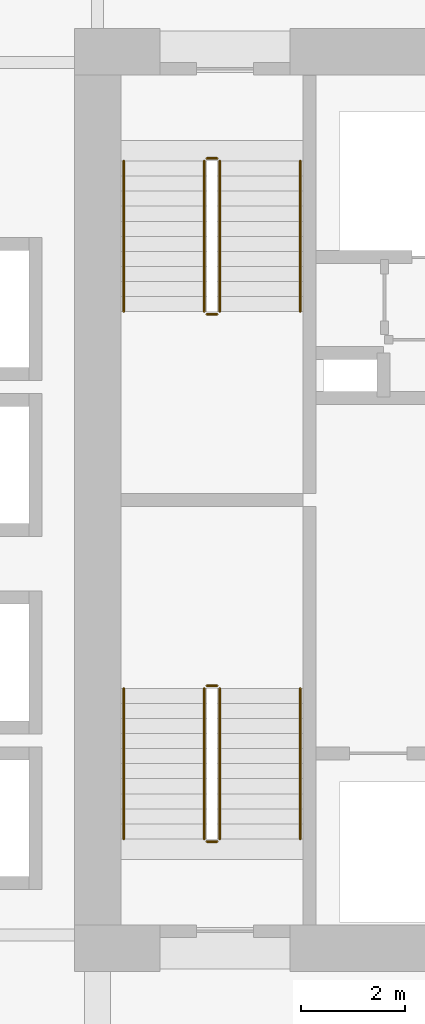
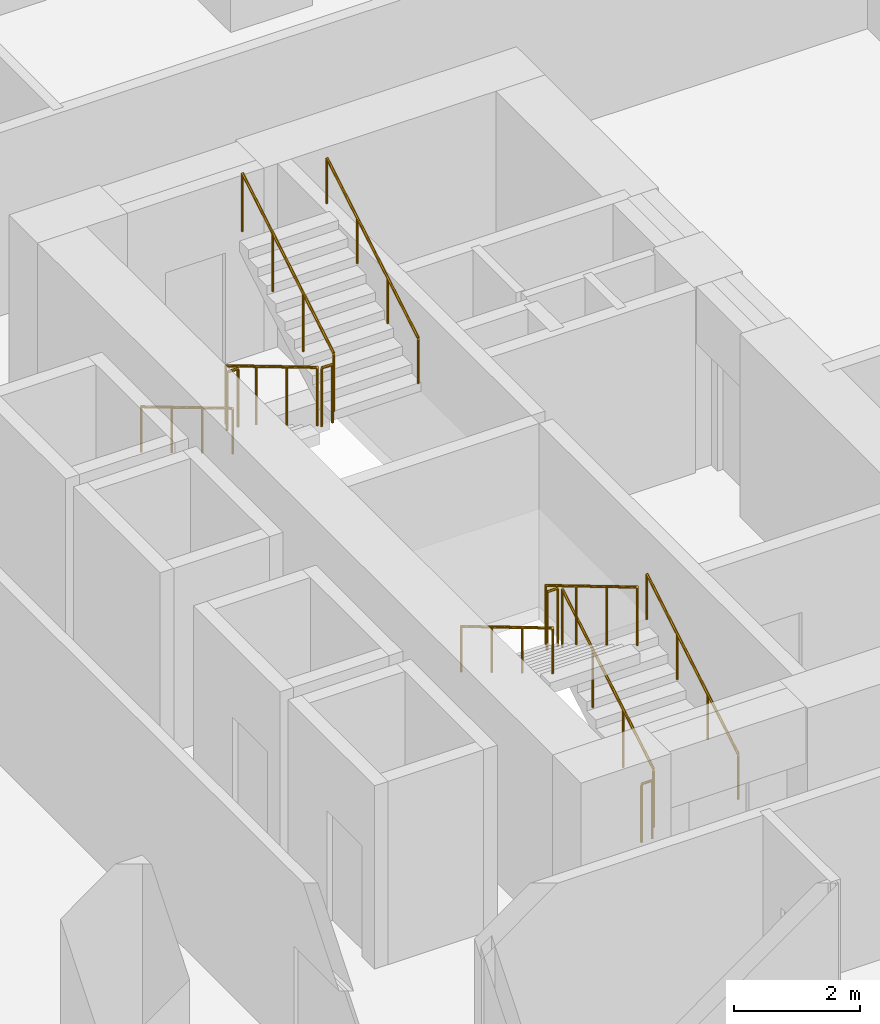
# One storey, part 21 of 22: 12 railings.
"""IFC4 building model written with IfcOpenShell, lengths in metres."""

from ifc_helpers import new_model, si_unit, direction, frame, origin, origin_2d, place, context, subcontext, project, spatial, circle, extrude, material, type_object, element, save


model = new_model("IFC4")

# Units and contexts
model_context = context("Model", 3, precision=1e-05, world=origin(), true_north=direction((0.0, 1.0)))
body_context = subcontext(model_context, "Body", "Model", "MODEL_VIEW")
ifc_project = project(units=[si_unit("LENGTHUNIT", "METRE"), si_unit("AREAUNIT", "SQUARE_METRE"), si_unit("VOLUMEUNIT", "CUBIC_METRE"), si_unit("PLANEANGLEUNIT", "RADIAN"), si_unit("MASSUNIT", "GRAM", prefix="KILO")], contexts=[model_context])

# Site, building, storey
site_placement = place(None, origin())
site = spatial("IfcSite", under=ifc_project, at=site_placement, CompositionType="ELEMENT")
building_placement = place(site_placement, origin())
building = spatial("IfcBuilding", under=site, at=building_placement, Name="Koriwani Terraces Tower", CompositionType="ELEMENT")
storey_placement = place(building_placement, frame((0.0, 0.0, 62.39990234375)))
storey = spatial("IfcBuildingStorey", under=building, at=storey_placement, Name="L14", CompositionType="ELEMENT", Elevation=62.39990234375)

# Railings
ifc_material = material(Name="Steel ASTM A572 Grade 50", Category="steel")
railing_type_1 = type_object("IfcRailingType", Name="GUARD_STAIR_WELL_1120", PredefinedType="GUARDRAIL", material=ifc_material)
railing_1_placement = place(storey_placement, frame((19.14990234375, 43.85009765625, 0.1728515625)))
element("IfcRailing", 1, at=railing_1_placement, inside=storey, type_object=railing_type_1, Name="L14 ST-W1 stair guard 1", PredefinedType="GUARDRAIL", context=body_context, shape_type="SweptSolid", body=[
    extrude(circle(Radius=0.02392578125, at=origin_2d()), frame((0.0, 0.0, 1.1259765625), z_axis=(0.0, 0.859141464434, 0.511738159696), x_axis=(-1.0, 0.0, 0.0)), (0.0, 0.0, 1.0), 3.375244140625),
    extrude(circle(Radius=0.02099609375, at=origin_2d()), origin(), (0.0, 0.0, 1.0), 1.101806640625),
    extrude(circle(Radius=0.02099609375, at=origin_2d()), frame((0.0, 0.966552734375, 0.57568359375)), (0.0, 0.0, 1.0), 1.101806640625),
    extrude(circle(Radius=0.02099609375, at=origin_2d()), frame((0.0, 1.933349609375, 1.151611328125)), (0.0, 0.0, 1.0), 1.101806640625),
    extrude(circle(Radius=0.02099609375, at=origin_2d()), frame((0.0, 2.89990234375, 1.727294921875)), (0.0, 0.0, 1.0), 1.101806640625),
])
railing_2_placement = place(storey_placement, frame((19.10009765625, 46.800048828125, 1.900146484375)))
element("IfcRailing", 2, at=railing_2_placement, inside=storey, type_object=railing_type_1, Name="L14 ST-W1 stair guard 2", PredefinedType="GUARDRAIL", context=body_context, shape_type="SweptSolid", body=[
    extrude(circle(Radius=0.02392578125, at=origin_2d()), frame((0.0, 0.0, 1.1259765625), z_axis=(-1.0, 0.0, 0.0), x_axis=(0.0, -1.0, 0.0)), (0.0, 0.0, 1.0), 0.2001953125),
    extrude(circle(Radius=0.02099609375, at=origin_2d()), origin(), (0.0, 0.0, 1.0), 1.101806640625),
    extrude(circle(Radius=0.02099609375, at=origin_2d()), frame((-0.2001953125, 0.0, 0.0)), (0.0, 0.0, 1.0), 1.101806640625),
])
railing_3_placement = place(storey_placement, frame((18.85009765625, 46.75, 2.07275390625)))
element("IfcRailing", 3, at=railing_3_placement, inside=storey, type_object=railing_type_1, Name="L14 ST-W1 stair guard 3", PredefinedType="GUARDRAIL", context=body_context, shape_type="SweptSolid", body=[
    extrude(circle(Radius=0.02392578125, at=origin_2d()), frame((0.0, 0.0, 1.1259765625), z_axis=(0.0, -0.859141464434, 0.511738159696), x_axis=(1.0, 0.0, 0.0)), (0.0, 0.0, 1.0), 3.375244140625),
    extrude(circle(Radius=0.02099609375, at=origin_2d()), origin(), (0.0, 0.0, 1.0), 1.101806640625),
    extrude(circle(Radius=0.02099609375, at=origin_2d()), frame((0.0, -0.966552734375, 0.57568359375)), (0.0, 0.0, 1.0), 1.101806640625),
    extrude(circle(Radius=0.02099609375, at=origin_2d()), frame((0.0, -1.933349609375, 1.151611328125)), (0.0, 0.0, 1.0), 1.101806640625),
    extrude(circle(Radius=0.02099609375, at=origin_2d()), frame((0.0, -2.89990234375, 1.727294921875)), (0.0, 0.0, 1.0), 1.101806640625),
])
railing_4_placement = place(storey_placement, frame((19.10009765625, 43.800048828125, 0.0)))
element("IfcRailing", 4, at=railing_4_placement, inside=storey, type_object=railing_type_1, Name="L14 ST-W1 stair guard 4", PredefinedType="GUARDRAIL", context=body_context, shape_type="SweptSolid", body=[
    extrude(circle(Radius=0.02392578125, at=origin_2d()), frame((0.0, 0.0, 1.1259765625), z_axis=(-1.0, 0.0, 0.0), x_axis=(0.0, -1.0, 0.0)), (0.0, 0.0, 1.0), 0.2001953125),
    extrude(circle(Radius=0.02099609375, at=origin_2d()), origin(), (0.0, 0.0, 1.0), 1.101806640625),
    extrude(circle(Radius=0.02099609375, at=origin_2d()), frame((-0.2001953125, 0.0, 0.0)), (0.0, 0.0, 1.0), 1.101806640625),
])
railing_5_placement = place(storey_placement, frame((18.85009765625, 56.89990234375, 0.1728515625)))
element("IfcRailing", 5, at=railing_5_placement, inside=storey, type_object=railing_type_1, Name="L14 ST-W2 stair guard 1", PredefinedType="GUARDRAIL", context=body_context, shape_type="SweptSolid", body=[
    extrude(circle(Radius=0.02392578125, at=origin_2d()), frame((0.0, 0.0, 1.1259765625), z_axis=(0.0, -0.859141464434, 0.511738159696), x_axis=(1.0, 0.0, 0.0)), (0.0, 0.0, 1.0), 3.375244140625),
    extrude(circle(Radius=0.02099609375, at=origin_2d()), origin(), (0.0, 0.0, 1.0), 1.101806640625),
    extrude(circle(Radius=0.02099609375, at=origin_2d()), frame((0.0, -0.966552734375, 0.57568359375)), (0.0, 0.0, 1.0), 1.101806640625),
    extrude(circle(Radius=0.02099609375, at=origin_2d()), frame((0.0, -1.933349609375, 1.151611328125)), (0.0, 0.0, 1.0), 1.101806640625),
    extrude(circle(Radius=0.02099609375, at=origin_2d()), frame((0.0, -2.89990234375, 1.727294921875)), (0.0, 0.0, 1.0), 1.101806640625),
])
railing_6_placement = place(storey_placement, frame((18.89990234375, 53.949951171875, 1.900146484375)))
element("IfcRailing", 6, at=railing_6_placement, inside=storey, type_object=railing_type_1, Name="L14 ST-W2 stair guard 2", PredefinedType="GUARDRAIL", context=body_context, shape_type="SweptSolid", body=[
    extrude(circle(Radius=0.02392578125, at=origin_2d()), frame((0.0, 0.0, 1.1259765625), z_axis=(1.0, 0.0, 0.0), x_axis=(0.0, 1.0, 0.0)), (0.0, 0.0, 1.0), 0.2001953125),
    extrude(circle(Radius=0.02099609375, at=origin_2d()), origin(), (0.0, 0.0, 1.0), 1.101806640625),
    extrude(circle(Radius=0.02099609375, at=origin_2d()), frame((0.2001953125, 0.0, 0.0)), (0.0, 0.0, 1.0), 1.101806640625),
])
railing_7_placement = place(storey_placement, frame((19.14990234375, 54.0, 2.07275390625)))
element("IfcRailing", 7, at=railing_7_placement, inside=storey, type_object=railing_type_1, Name="L14 ST-W2 stair guard 3", PredefinedType="GUARDRAIL", context=body_context, shape_type="SweptSolid", body=[
    extrude(circle(Radius=0.02392578125, at=origin_2d()), frame((0.0, 0.0, 1.1259765625), z_axis=(0.0, 0.859141464434, 0.511738159696), x_axis=(-1.0, 0.0, 0.0)), (0.0, 0.0, 1.0), 3.375244140625),
    extrude(circle(Radius=0.02099609375, at=origin_2d()), origin(), (0.0, 0.0, 1.0), 1.101806640625),
    extrude(circle(Radius=0.02099609375, at=origin_2d()), frame((0.0, 0.966552734375, 0.57568359375)), (0.0, 0.0, 1.0), 1.101806640625),
    extrude(circle(Radius=0.02099609375, at=origin_2d()), frame((0.0, 1.933349609375, 1.151611328125)), (0.0, 0.0, 1.0), 1.101806640625),
    extrude(circle(Radius=0.02099609375, at=origin_2d()), frame((0.0, 2.89990234375, 1.727294921875)), (0.0, 0.0, 1.0), 1.101806640625),
])
railing_8_placement = place(storey_placement, frame((18.89990234375, 56.949951171875, 0.0)))
element("IfcRailing", 8, at=railing_8_placement, inside=storey, type_object=railing_type_1, Name="L14 ST-W2 stair guard 4", PredefinedType="GUARDRAIL", context=body_context, shape_type="SweptSolid", body=[
    extrude(circle(Radius=0.02392578125, at=origin_2d()), frame((0.0, 0.0, 1.1259765625), z_axis=(1.0, 0.0, 0.0), x_axis=(0.0, 1.0, 0.0)), (0.0, 0.0, 1.0), 0.2001953125),
    extrude(circle(Radius=0.02099609375, at=origin_2d()), origin(), (0.0, 0.0, 1.0), 1.101806640625),
    extrude(circle(Radius=0.02099609375, at=origin_2d()), frame((0.2001953125, 0.0, 0.0)), (0.0, 0.0, 1.0), 1.101806640625),
])
railing_type_2 = type_object("IfcRailingType", Name="HANDRAIL_STAIR_920", PredefinedType="HANDRAIL", material=ifc_material)
railing_9_placement = place(storey_placement, frame((20.699951171875, 43.85009765625, 0.1728515625)))
element("IfcRailing", 9, at=railing_9_placement, inside=storey, type_object=railing_type_2, Name="L14 ST-W1 stair handrail 1", PredefinedType="HANDRAIL", context=body_context, shape_type="SweptSolid", body=[
    extrude(circle(Radius=0.02392578125, at=origin_2d()), frame((0.0, 0.0, 0.8759765625), z_axis=(0.0, 0.859141464434, 0.511738159696), x_axis=(-1.0, 0.0, 0.0)), (0.0, 0.0, 1.0), 3.375244140625),
    extrude(circle(Radius=0.02099609375, at=origin_2d()), origin(), (0.0, 0.0, 1.0), 0.851806640625),
    extrude(circle(Radius=0.02099609375, at=origin_2d()), frame((0.0, 0.966552734375, 0.57568359375)), (0.0, 0.0, 1.0), 0.851806640625),
    extrude(circle(Radius=0.02099609375, at=origin_2d()), frame((0.0, 1.933349609375, 1.151611328125)), (0.0, 0.0, 1.0), 0.851806640625),
    extrude(circle(Radius=0.02099609375, at=origin_2d()), frame((0.0, 2.89990234375, 1.727294921875)), (0.0, 0.0, 1.0), 0.851806640625),
])
for number, where, name in (
    (10, (17.300048828125, 46.75, 2.07275390625), "L14 ST-W1 stair handrail 2"),
    (11, (17.300048828125, 56.89990234375, 0.1728515625), "L14 ST-W2 stair handrail 1"),
):
    element("IfcRailing", number, at=place(storey_placement, frame(where)), inside=storey, type_object=railing_type_2, Name=name, PredefinedType="HANDRAIL", context=body_context, shape_type="SweptSolid", body=[
        extrude(circle(Radius=0.02392578125, at=origin_2d()), frame((0.0, 0.0, 0.8759765625), z_axis=(0.0, -0.859141464434, 0.511738159696), x_axis=(1.0, 0.0, 0.0)), (0.0, 0.0, 1.0), 3.375244140625),
        extrude(circle(Radius=0.02099609375, at=origin_2d()), origin(), (0.0, 0.0, 1.0), 0.851806640625),
        extrude(circle(Radius=0.02099609375, at=origin_2d()), frame((0.0, -0.966552734375, 0.57568359375)), (0.0, 0.0, 1.0), 0.851806640625),
        extrude(circle(Radius=0.02099609375, at=origin_2d()), frame((0.0, -1.933349609375, 1.151611328125)), (0.0, 0.0, 1.0), 0.851806640625),
        extrude(circle(Radius=0.02099609375, at=origin_2d()), frame((0.0, -2.89990234375, 1.727294921875)), (0.0, 0.0, 1.0), 0.851806640625),
    ])
railing_10_placement = place(storey_placement, frame((20.699951171875, 54.0, 2.07275390625)))
element("IfcRailing", 12, at=railing_10_placement, inside=storey, type_object=railing_type_2, Name="L14 ST-W2 stair handrail 2", PredefinedType="HANDRAIL", context=body_context, shape_type="SweptSolid", body=[
    extrude(circle(Radius=0.02392578125, at=origin_2d()), frame((0.0, 0.0, 0.8759765625), z_axis=(0.0, 0.859141464434, 0.511738159696), x_axis=(-1.0, 0.0, 0.0)), (0.0, 0.0, 1.0), 3.375244140625),
    extrude(circle(Radius=0.02099609375, at=origin_2d()), origin(), (0.0, 0.0, 1.0), 0.851806640625),
    extrude(circle(Radius=0.02099609375, at=origin_2d()), frame((0.0, 0.966552734375, 0.57568359375)), (0.0, 0.0, 1.0), 0.851806640625),
    extrude(circle(Radius=0.02099609375, at=origin_2d()), frame((0.0, 1.933349609375, 1.151611328125)), (0.0, 0.0, 1.0), 0.851806640625),
    extrude(circle(Radius=0.02099609375, at=origin_2d()), frame((0.0, 2.89990234375, 1.727294921875)), (0.0, 0.0, 1.0), 0.851806640625),
])

save(model, "model.ifc")
